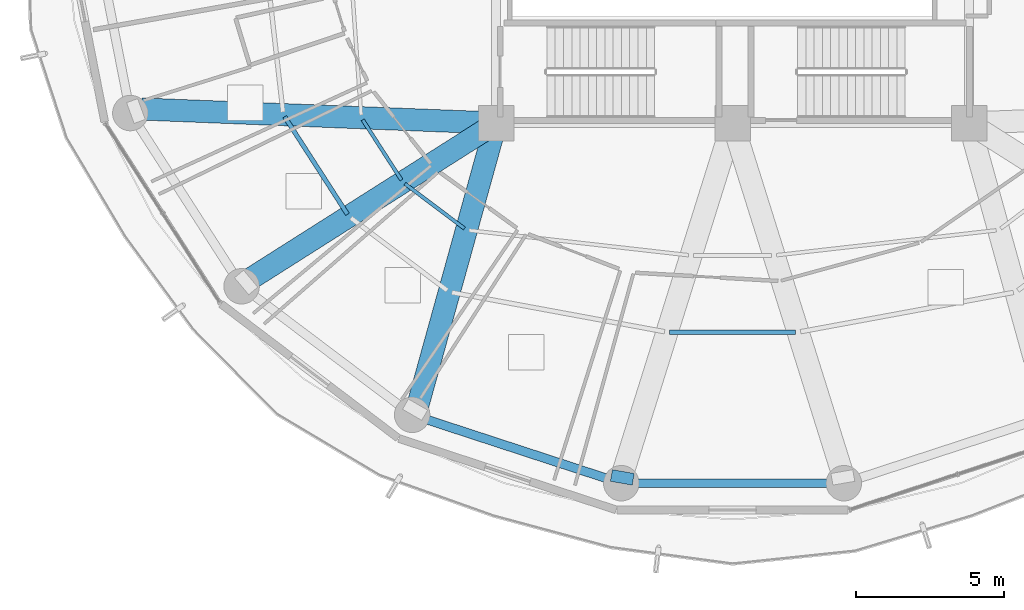
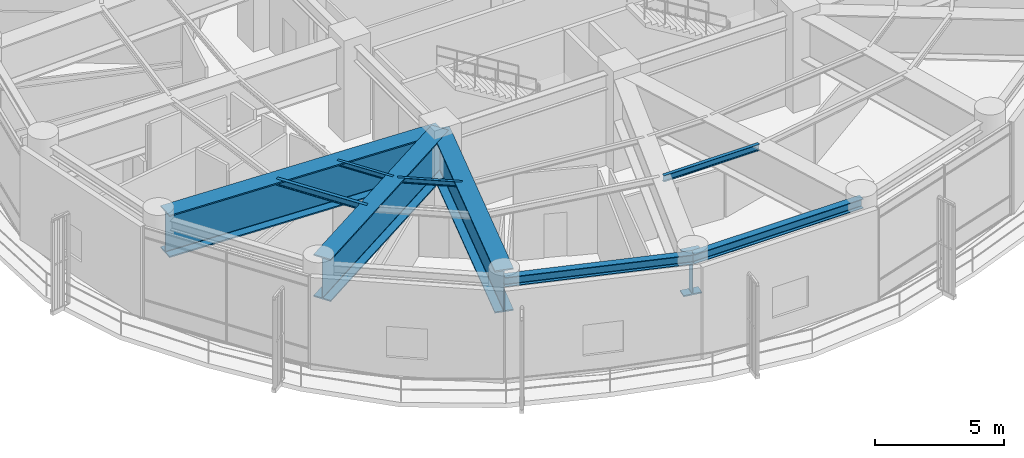
# One storey, part 3 of 28: 10 beams.
"""IFC4 building model written with IfcOpenShell, lengths in metres."""

from ifc_helpers import new_model, si_unit, direction, frame, origin, origin_2d, place, context, subcontext, project, spatial, i_section, extrude, material, material_profile, profile_set, type_object, element, save


model = new_model("IFC4")

# Units and contexts
model_context = context("Model", 3, precision=1e-05, world=origin(), true_north=direction((0.0, 1.0)))
body_context = subcontext(model_context, "Body", "Model", "MODEL_VIEW")
ifc_project = project(units=[si_unit("LENGTHUNIT", "METRE"), si_unit("AREAUNIT", "SQUARE_METRE"), si_unit("VOLUMEUNIT", "CUBIC_METRE"), si_unit("PLANEANGLEUNIT", "RADIAN"), si_unit("MASSUNIT", "GRAM", prefix="KILO")], contexts=[model_context])

# Site, building, storey
site_placement = place(None, origin())
site = spatial("IfcSite", under=ifc_project, at=site_placement, CompositionType="ELEMENT")
building_placement = place(site_placement, origin())
building = spatial("IfcBuilding", under=site, at=building_placement, Name="Kelanora Arch Commons", CompositionType="ELEMENT")
storey_placement = place(building_placement, frame((0.0, 0.0, 184.35009765625)))
storey = spatial("IfcBuildingStorey", under=building, at=storey_placement, Name="L47", CompositionType="ELEMENT", Elevation=184.35009765625)

# Beams
ifc_material = material(Name="Steel S355", Category="steel")
ifc_material_profile_1 = material_profile(ifc_material, i_section(OverallWidth=0.14990234375, OverallDepth=0.300048828125, WebThickness=0.007080078125, FlangeThickness=0.0107421875, FilletRadius=0.014892578125, at=origin_2d()), Name="IPE300")
ifc_profile_set_1 = profile_set([ifc_material_profile_1], Name="Steel S355")
beam_type_1 = type_object("IfcBeamType", Name="BM-JST-01", PredefinedType="JOIST", material=ifc_profile_set_1)
beam_1_placement = place(storey_placement, frame((58.847900390625, 51.213134765625, 4.2099609375), z_axis=(0.541411265892, -0.840757896879, 0.0), x_axis=(0.840757896879, 0.541411265892, 0.0)))
element("IfcBeam", 1, at=beam_1_placement, inside=storey, type_object=beam_type_1, Name="Secondary Chord Joist BJB-20 L47", PredefinedType="JOIST", context=body_context, shape_type="SweptSolid", body=[
    extrude(i_section(OverallWidth=0.14990234375, OverallDepth=0.300048828125, WebThickness=0.007080078125, FlangeThickness=0.0107421875, FilletRadius=0.014892578125, at=origin_2d()), origin(), (0.0, 0.0, 1.0), 3.92529296875),
])
beam_2_placement = place(storey_placement, frame((71.867919921875, 43.92578125, 4.2099609375), z_axis=(1.0, 0.0, 0.0), x_axis=(0.0, 1.0, 0.0)))
element("IfcBeam", 2, at=beam_2_placement, inside=storey, type_object=beam_type_1, Name="Secondary Chord Joist BJB-26 L47", PredefinedType="JOIST", context=body_context, shape_type="SweptSolid", body=[
    extrude(i_section(OverallWidth=0.14990234375, OverallDepth=0.300048828125, WebThickness=0.007080078125, FlangeThickness=0.0107421875, FilletRadius=0.014892578125, at=origin_2d()), origin(), (0.0, 0.0, 1.0), 4.26416015625),
])
ifc_material_profile_2 = material_profile(ifc_material, i_section(OverallWidth=0.1201171875, OverallDepth=0.239990234375, WebThickness=0.006103515625, FlangeThickness=0.009765625, FilletRadius=0.014892578125, at=origin_2d()), Name="IPE240")
ifc_profile_set_2 = profile_set([ifc_material_profile_2], Name="Steel S355")
beam_type_2 = type_object("IfcBeamType", Name="BM-JST-02", PredefinedType="JOIST", material=ifc_profile_set_2)
beam_3_placement = place(storey_placement, frame((61.4873046875, 51.10888671875, 4.239990234375), z_axis=(0.541332763503, -0.840808443796, 0.0), x_axis=(0.840808443796, 0.541332763503, 0.0)))
element("IfcBeam", 3, at=beam_3_placement, inside=storey, type_object=beam_type_2, Name="Secondary Chord Joist BJA-20 L47", PredefinedType="JOIST", context=body_context, shape_type="SweptSolid", body=[
    extrude(i_section(OverallWidth=0.1201171875, OverallDepth=0.239990234375, WebThickness=0.006103515625, FlangeThickness=0.009765625, FilletRadius=0.014892578125, at=origin_2d()), origin(), (0.0, 0.0, 1.0), 2.423583984375),
])
beam_4_placement = place(storey_placement, frame((62.913330078125, 48.948486328125, 4.239990234375), z_axis=(0.79911638933, -0.601176343766, 0.0), x_axis=(0.601176343766, 0.79911638933, 0.0)))
element("IfcBeam", 4, at=beam_4_placement, inside=storey, type_object=beam_type_2, Name="Secondary Chord Joist BJA-22 L47", PredefinedType="JOIST", context=body_context, shape_type="SweptSolid", body=[
    extrude(i_section(OverallWidth=0.1201171875, OverallDepth=0.239990234375, WebThickness=0.006103515625, FlangeThickness=0.009765625, FilletRadius=0.014892578125, at=origin_2d()), origin(), (0.0, 0.0, 1.0), 2.522216796875),
])
ifc_material_profile_3 = material_profile(ifc_material, i_section(OverallWidth=0.300048828125, OverallDepth=0.449951171875, WebThickness=0.013916015625, FlangeThickness=0.02587890625, FilletRadius=0.027099609375, at=origin_2d()), Name="HEB450")
ifc_profile_set_3 = profile_set([ifc_material_profile_3], Name="Steel S355")
beam_type_3 = type_object("IfcBeamType", Name="BM-SPN-Z3", PredefinedType="SPANDREL", material=ifc_profile_set_3)
beam_5_placement = place(storey_placement, frame((63.159912109375, 41.1298828125, 4.135009765625), z_axis=(0.950461975786, -0.310840847676, 0.0), x_axis=(0.310840847676, 0.950461975786, 0.0)))
element("IfcBeam", 5, at=beam_5_placement, inside=storey, type_object=beam_type_3, Name="Perimeter Spandrel Beam BS-24 L47", PredefinedType="SPANDREL", context=body_context, shape_type="SweptSolid", body=[
    extrude(i_section(OverallWidth=0.300048828125, OverallDepth=0.449951171875, WebThickness=0.013916015625, FlangeThickness=0.02587890625, FilletRadius=0.027099609375, at=origin_2d()), origin(), (0.0, 0.0, 1.0), 7.444091796875),
])
beam_6_placement = place(storey_placement, frame((70.2353515625, 38.81591796875, 4.135009765625), z_axis=(1.0, 0.0, 0.0), x_axis=(0.0, 1.0, 0.0)))
element("IfcBeam", 6, at=beam_6_placement, inside=storey, type_object=beam_type_3, Name="Perimeter Spandrel Beam BS-26 L47", PredefinedType="SPANDREL", context=body_context, shape_type="SweptSolid", body=[
    extrude(i_section(OverallWidth=0.300048828125, OverallDepth=0.449951171875, WebThickness=0.013916015625, FlangeThickness=0.02587890625, FilletRadius=0.027099609375, at=origin_2d()), origin(), (0.0, 0.0, 1.0), 7.529296875),
])
ifc_material_profile_4 = material_profile(ifc_material, i_section(OverallWidth=0.75, OverallDepth=2.0, WebThickness=0.034912109375, FlangeThickness=0.06005859375, FilletRadius=0.028076171875, at=origin_2d()), Name="PG2000x750")
ifc_profile_set_4 = profile_set([ifc_material_profile_4], Name="Steel S355")
beam_type_4 = type_object("IfcBeamType", Name="BM-XFER-SET", PredefinedType="USERDEFINED", material=ifc_profile_set_4)
beam_7_placement = place(storey_placement, frame((66.0, 51.0, 3.35986328125), z_axis=(-0.999219142585, 0.03951082246, 0.0), x_axis=(-0.03951082246, -0.999219142585, 0.0)))
element("IfcBeam", 7, at=beam_7_placement, inside=storey, type_object=beam_type_4, Name="Setback Radial Transfer Girder BRI-20 L47", ObjectType="TRANSFER_GIRDER", PredefinedType="USERDEFINED", context=body_context, shape_type="SweptSolid", body=[
    extrude(i_section(OverallWidth=0.75, OverallDepth=2.0, WebThickness=0.034912109375, FlangeThickness=0.06005859375, FilletRadius=0.028076171875, at=origin_2d()), origin(), (0.0, 0.0, 1.0), 12.005859375),
])
beam_8_placement = place(storey_placement, frame((66.0, 51.0, 3.35986328125), z_axis=(-0.844507208607, -0.535544185489, 0.0), x_axis=(0.535544185489, -0.844507208607, 0.0)))
element("IfcBeam", 8, at=beam_8_placement, inside=storey, type_object=beam_type_4, Name="Setback Radial Transfer Girder BRI-22 L47", ObjectType="TRANSFER_GIRDER", PredefinedType="USERDEFINED", context=body_context, shape_type="SweptSolid", body=[
    extrude(i_section(OverallWidth=0.75, OverallDepth=2.0, WebThickness=0.034912109375, FlangeThickness=0.06005859375, FilletRadius=0.028076171875, at=origin_2d()), origin(), (0.0, 0.0, 1.0), 9.830078125),
])
beam_9_placement = place(storey_placement, frame((66.0, 51.0, 3.35986328125), z_axis=(-0.267120164296, -0.963663228429, 0.0), x_axis=(0.963663228429, -0.267120164296, 0.0)))
element("IfcBeam", 9, at=beam_9_placement, inside=storey, type_object=beam_type_4, Name="Setback Radial Transfer Girder BRI-24 L47", ObjectType="TRANSFER_GIRDER", PredefinedType="USERDEFINED", context=body_context, shape_type="SweptSolid", body=[
    extrude(i_section(OverallWidth=0.75, OverallDepth=2.0, WebThickness=0.034912109375, FlangeThickness=0.06005859375, FilletRadius=0.028076171875, at=origin_2d()), origin(), (0.0, 0.0, 1.0), 9.8828125),
])
beam_10_placement = place(storey_placement, frame((70.3046875, 39.2099609375, 3.35986328125), z_axis=(-0.173297968404, -0.984869440153, 0.0), x_axis=(0.984869440153, -0.173297968404, 0.0)))
element("IfcBeam", 10, at=beam_10_placement, inside=storey, type_object=beam_type_4, Name="Radial Floor Girder BR-26 L47", ObjectType="TRANSFER_GIRDER", PredefinedType="USERDEFINED", context=body_context, shape_type="SweptSolid", body=[
    extrude(i_section(OverallWidth=0.75, OverallDepth=2.0, WebThickness=0.034912109375, FlangeThickness=0.06005859375, FilletRadius=0.028076171875, at=origin_2d()), origin(), (0.0, 0.0, 1.0), 0.400146484375),
])

save(model, "model.ifc")
